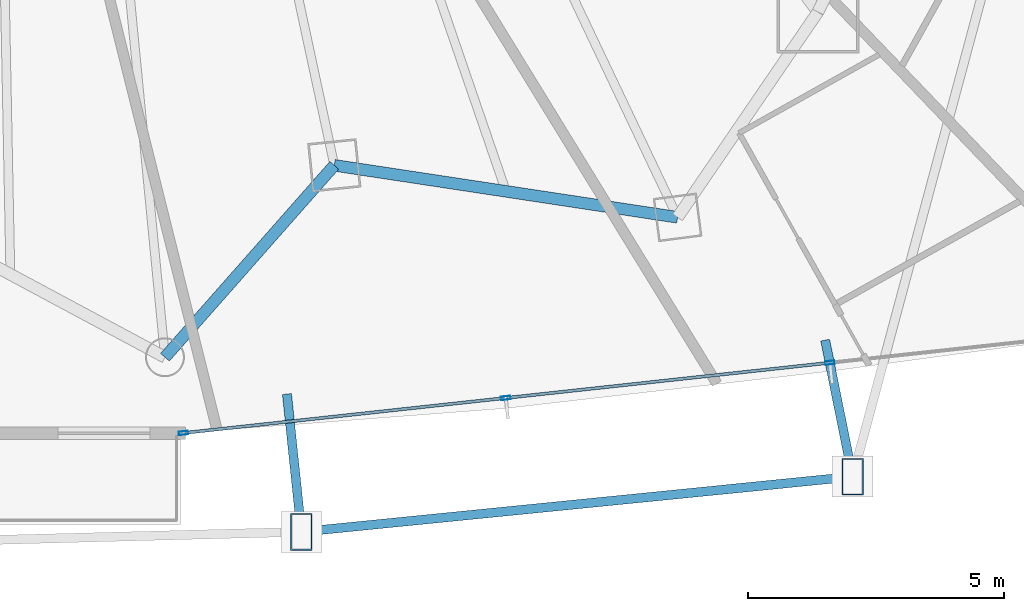
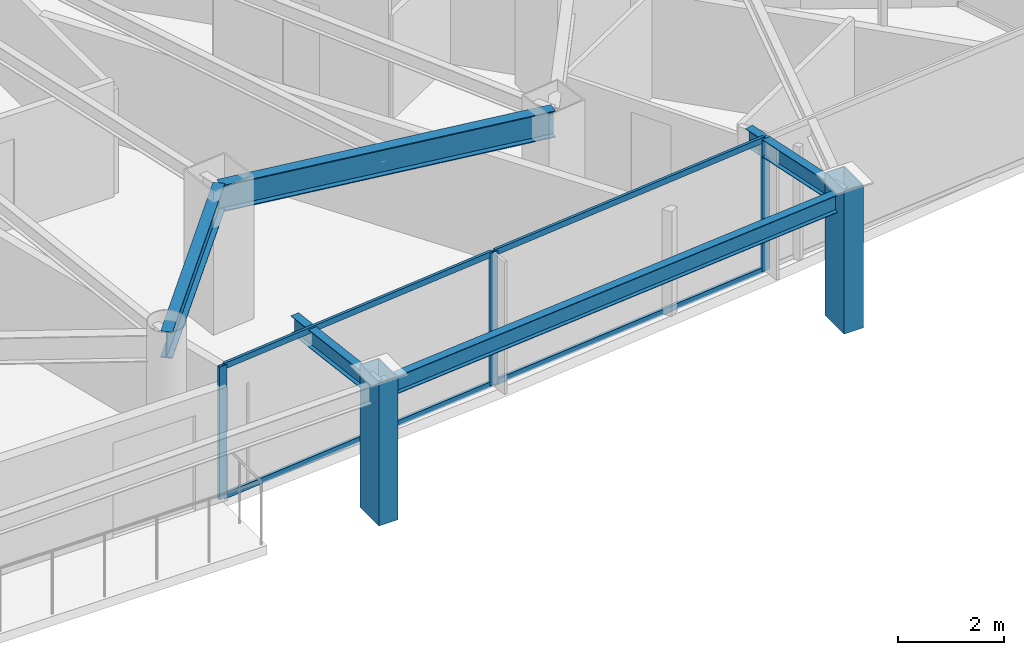
# One storey, part 12 of 34: 9 members, 5 beams, 1 element without a shape of its own.
"""IFC4 building model written with IfcOpenShell, lengths in metres."""

from ifc_helpers import new_model, si_unit, direction, frame, origin, origin_2d, place, context, subcontext, project, spatial, hollow_rectangle, i_section, extrude, material, layer, layer_set, material_profile, profile_set, type_object, element, aggregate, save


model = new_model("IFC4")

# Units and contexts
model_context = context("Model", 3, precision=1e-05, world=origin(), true_north=direction((0.0, 1.0)))
body_context = subcontext(model_context, "Body", "Model", "MODEL_VIEW")
ifc_project = project(units=[si_unit("LENGTHUNIT", "METRE"), si_unit("AREAUNIT", "SQUARE_METRE"), si_unit("VOLUMEUNIT", "CUBIC_METRE"), si_unit("PLANEANGLEUNIT", "RADIAN"), si_unit("MASSUNIT", "GRAM", prefix="KILO")], contexts=[model_context])

# Site, building, storey
site_placement = place(None, origin())
site = spatial("IfcSite", under=ifc_project, at=site_placement, CompositionType="ELEMENT")
building_placement = place(site_placement, origin())
building = spatial("IfcBuilding", under=site, at=building_placement, Name="Orvanel Arch Residences", CompositionType="ELEMENT")
storey_placement = place(building_placement, frame((0.0, 0.0, 80.75)))
storey = spatial("IfcBuildingStorey", under=building, at=storey_placement, Name="L22", CompositionType="ELEMENT", Elevation=80.75)

# Members
ifc_material_1 = material(Name="Structural steel AS/NZS 3678 Grade 350", Category="steel")
ifc_material_profile_1 = material_profile(ifc_material_1, hollow_rectangle(XDim=0.419921875, YDim=0.719970703125, WallThickness=0.02490234375, at=origin_2d()), Name="RHS720x420x25")
ifc_profile_set_1 = profile_set([ifc_material_profile_1], Name="Structural steel AS/NZS 3678 Grade 350")
member_type_1 = type_object("IfcMemberType", Name="CH-720RHS-EXT", PredefinedType="CHORD", material=ifc_profile_set_1)
for number, where, z_axis, x_axis, name in (
    (1, (41.7080078125, 0.193115234375, 0.0), (0.0, 0.0, 1.0), (1.0, 0.0, 0.0), "L22 Outer Perimeter Frame Post 07"),
    (2, (52.48095703125, 1.27099609375, 0.0), (0.0, 0.0, 1.0), (1.0, 0.0, 0.0), "L22 Outer Perimeter Frame Post 08"),
):
    element("IfcMember", number, at=place(storey_placement, frame(where, z_axis=z_axis, x_axis=x_axis)), inside=storey, type_object=member_type_1, Name=name, PredefinedType="CHORD", context=body_context, shape_type="SweptSolid", body=[
        extrude(hollow_rectangle(XDim=0.419921875, YDim=0.719970703125, WallThickness=0.02490234375, at=origin_2d()), origin(), (0.0, 0.0, 1.0), 3.300048828125),
    ])

# Curtain wall, members
ifc_material_2 = material(Name="Bronze-anodised aluminium AA6063-T6", Category="aluminium")
ifc_layer = layer(ifc_material_2, 0.179931640625)
ifc_layer_set = layer_set([ifc_layer], Name="Bronze-anodised aluminium AA6063-T6")
curtain_wall_type = type_object("IfcCurtainWallType", Name="CW2-LOW-SYS", PredefinedType="NOTDEFINED", material=ifc_layer_set)
curtain_wall_placement = place(storey_placement, origin())
curtain_wall = element("IfcCurtainWall", 3, at=curtain_wall_placement, inside=storey, type_object=curtain_wall_type, Name="L22 CW2-LOW-SYS Unitised Curtain Wall", PredefinedType="NOTDEFINED")
ifc_material_profile_2 = material_profile(ifc_material_2, hollow_rectangle(XDim=0.070068359375, YDim=0.179931640625, WallThickness=0.00439453125, at=origin_2d()), Name="ALU180x70x4.5")
ifc_profile_set_2 = profile_set([ifc_material_profile_2], Name="Bronze-anodised aluminium AA6063-T6")
member_type_2 = type_object("IfcMemberType", Name="MUL-180x70", PredefinedType="MULLION", material=ifc_profile_set_2)
member_1_placement = place(storey_placement, frame((39.40185546875, 2.123779296875, 0.0), z_axis=(0.0, 0.0, 1.0), x_axis=(-0.10808278479, 0.994141897131, 0.0)))
member_1 = element("IfcMember", 4, at=member_1_placement, type_object=member_type_2, Name="CW-S2 mullion 1", PredefinedType="MULLION", context=body_context, shape_type="SweptSolid", body=[
    extrude(hollow_rectangle(XDim=0.070068359375, YDim=0.179931640625, WallThickness=0.00439453125, at=origin_2d()), origin(), (0.0, 0.0, 1.0), 3.06005859375),
])
member_2_placement = place(storey_placement, frame((45.701416015625, 2.80859375, 0.0), z_axis=(0.0, 0.0, 1.0), x_axis=(-0.10808278479, 0.994141897131, 0.0)))
member_2 = element("IfcMember", 5, at=member_2_placement, type_object=member_type_2, Name="CW-S2 mullion 2", PredefinedType="MULLION", context=body_context, shape_type="SweptSolid", body=[
    extrude(hollow_rectangle(XDim=0.070068359375, YDim=0.179931640625, WallThickness=0.00439453125, at=origin_2d()), origin(), (0.0, 0.0, 1.0), 3.06005859375),
])
member_3_placement = place(storey_placement, frame((52.03564453125, 3.497314453125, 0.0), z_axis=(0.0, 0.0, 1.0), x_axis=(-0.10808278479, 0.994141897131, 0.0)))
member_3 = element("IfcMember", 6, at=member_3_placement, type_object=member_type_2, Name="CW-S2 mullion 3", PredefinedType="MULLION", context=body_context, shape_type="SweptSolid", body=[
    extrude(hollow_rectangle(XDim=0.070068359375, YDim=0.179931640625, WallThickness=0.00439453125, at=origin_2d()), origin(), (0.0, 0.0, 1.0), 3.06005859375),
])

# Beams
ifc_material_3 = material(Name="Structural steel AS/NZS 3679.1 Grade 300 (300 MPa)", Category="steel")
ifc_material_profile_3 = material_profile(ifc_material_3, i_section(OverallWidth=0.177978515625, OverallDepth=0.406005859375, WebThickness=0.0078125, FlangeThickness=0.0126953125, at=origin_2d()), Name="410UB59.7")
ifc_profile_set_3 = profile_set([ifc_material_profile_3], Name="Structural steel AS/NZS 3679.1 Grade 300 (300 MPa)")
beam_type_1 = type_object("IfcBeamType", Name="OB-410UB-EXT", PredefinedType="SPANDREL", material=ifc_profile_set_3)
beam_1_placement = place(storey_placement, frame((41.426025390625, 2.885986328125, 2.85693359375), z_axis=(0.104144991346, -0.994562125147, 0.0), x_axis=(0.994562125147, 0.104144991346, 0.0)))
element("IfcBeam", 7, at=beam_1_placement, inside=storey, type_object=beam_type_1, Name="L22 Outer Frame Radial Tie Beam 07", PredefinedType="SPANDREL", context=body_context, shape_type="SweptSolid", body=[
    extrude(i_section(OverallWidth=0.177978515625, OverallDepth=0.406005859375, WebThickness=0.0078125, FlangeThickness=0.0126953125, at=origin_2d()), origin(), (0.0, 0.0, 1.0), 2.70751953125),
])
beam_2_placement = place(storey_placement, frame((41.7080078125, 0.193115234375, 2.85693359375), z_axis=(0.995031830402, 0.099557302525, 0.0), x_axis=(-0.099557302525, 0.995031830402, 0.0)))
element("IfcBeam", 8, at=beam_2_placement, inside=storey, type_object=beam_type_1, Name="L22 Outer Perimeter Floor Ring Beam 07", PredefinedType="SPANDREL", context=body_context, shape_type="SweptSolid", body=[
    extrude(i_section(OverallWidth=0.177978515625, OverallDepth=0.406005859375, WebThickness=0.0078125, FlangeThickness=0.0126953125, at=origin_2d()), origin(), (0.0, 0.0, 1.0), 10.82666015625),
])
beam_3_placement = place(storey_placement, frame((51.943115234375, 3.93994140625, 2.85693359375), z_axis=(0.197547227933, -0.98029337075, 0.0), x_axis=(0.98029337075, 0.197547227933, 0.0)))
element("IfcBeam", 9, at=beam_3_placement, inside=storey, type_object=beam_type_1, Name="L22 Outer Frame Radial Tie Beam 08", PredefinedType="SPANDREL", context=body_context, shape_type="SweptSolid", body=[
    extrude(i_section(OverallWidth=0.177978515625, OverallDepth=0.406005859375, WebThickness=0.0078125, FlangeThickness=0.0126953125, at=origin_2d()), origin(), (0.0, 0.0, 1.0), 2.72265625),
])
ifc_material_profile_4 = material_profile(ifc_material_3, i_section(OverallWidth=0.22900390625, OverallDepth=0.612060546875, WebThickness=0.011962890625, FlangeThickness=0.01953125, at=origin_2d()), Name="610UB125")
ifc_profile_set_4 = profile_set([ifc_material_profile_4], Name="Structural steel AS/NZS 3679.1 Grade 300 (300 MPa)")
beam_type_2 = type_object("IfcBeamType", Name="SP-610UB", PredefinedType="SPANDREL", material=ifc_profile_set_4)
beam_4_placement = place(storey_placement, frame((39.0419921875, 3.60498046875, 2.75390625), z_axis=(0.661650698195, 0.749812212209, 0.0), x_axis=(-0.749812212209, 0.661650698195, 0.0)))
element("IfcBeam", 10, at=beam_4_placement, inside=storey, type_object=beam_type_2, Name="L22 Perimeter Spandrel Beam 08", PredefinedType="SPANDREL", context=body_context, shape_type="SweptSolid", body=[
    extrude(i_section(OverallWidth=0.22900390625, OverallDepth=0.612060546875, WebThickness=0.011962890625, FlangeThickness=0.01953125, at=origin_2d()), origin(), (0.0, 0.0, 1.0), 5.001220703125),
])
beam_5_placement = place(storey_placement, frame((42.35107421875, 7.35498046875, 2.75390625), z_axis=(0.988726323014, -0.149733958002, 0.0), x_axis=(0.149733958002, 0.988726323014, 0.0)))
element("IfcBeam", 11, at=beam_5_placement, inside=storey, type_object=beam_type_2, Name="L22 Perimeter Spandrel Beam 09", PredefinedType="SPANDREL", context=body_context, shape_type="SweptSolid", body=[
    extrude(i_section(OverallWidth=0.22900390625, OverallDepth=0.612060546875, WebThickness=0.011962890625, FlangeThickness=0.01953125, at=origin_2d()), origin(), (0.0, 0.0, 1.0), 6.784423828125),
])

# Member
ifc_material_profile_5 = material_profile(ifc_material_2, hollow_rectangle(XDim=0.06005859375, YDim=0.135009765625, WallThickness=0.00390625, at=origin_2d()), Name="ALU135x60x4")
ifc_profile_set_5 = profile_set([ifc_material_profile_5], Name="Bronze-anodised aluminium AA6063-T6")
member_type_3 = type_object("IfcMemberType", Name="TRN-135x60", PredefinedType="USERDEFINED", material=ifc_profile_set_5)
member_4_placement = place(storey_placement, frame((39.4365234375, 2.127685546875, 0.030029296875), z_axis=(0.994143189252, 0.108070899247, 0.0), x_axis=(-0.108070899247, 0.994143189252, 0.0)))
member_4 = element("IfcMember", 12, at=member_4_placement, type_object=member_type_3, Name="CW-S2 transom 1.1", ObjectType="TRANSOM", PredefinedType="USERDEFINED", context=body_context, shape_type="SweptSolid", body=[
    extrude(hollow_rectangle(XDim=0.06005859375, YDim=0.135009765625, WallThickness=0.00390625, at=origin_2d()), origin(), (0.0, 0.0, 1.0), 6.2666015625),
])

member_5_placement = place(storey_placement, frame((39.4365234375, 2.127685546875, 3.030029296875), z_axis=(0.994143189252, 0.108070899247, 0.0), x_axis=(-0.108070899247, 0.994143189252, 0.0)))
member_5 = element("IfcMember", 13, at=member_5_placement, type_object=member_type_3, Name="CW-S2 transom 1.2", ObjectType="TRANSOM", PredefinedType="USERDEFINED", context=body_context, shape_type="SweptSolid", body=[
    extrude(hollow_rectangle(XDim=0.06005859375, YDim=0.135009765625, WallThickness=0.00390625, at=origin_2d()), origin(), (0.0, 0.0, 1.0), 6.2666015625),
])

member_6_placement = place(storey_placement, frame((45.736083984375, 2.8125, 0.030029296875), z_axis=(0.994141296023, 0.108088313624, 0.0), x_axis=(-0.108088313624, 0.994141296023, 0.0)))
member_6 = element("IfcMember", 14, at=member_6_placement, type_object=member_type_3, Name="CW-S2 transom 2.1", ObjectType="TRANSOM", PredefinedType="USERDEFINED", context=body_context, shape_type="SweptSolid", body=[
    extrude(hollow_rectangle(XDim=0.06005859375, YDim=0.135009765625, WallThickness=0.00390625, at=origin_2d()), origin(), (0.0, 0.0, 1.0), 6.3017578125),
])

member_7_placement = place(storey_placement, frame((45.736083984375, 2.8125, 3.030029296875), z_axis=(0.994141296023, 0.108088313624, 0.0), x_axis=(-0.108088313624, 0.994141296023, 0.0)))
member_7 = element("IfcMember", 15, at=member_7_placement, type_object=member_type_3, Name="CW-S2 transom 2.2", ObjectType="TRANSOM", PredefinedType="USERDEFINED", context=body_context, shape_type="SweptSolid", body=[
    extrude(hollow_rectangle(XDim=0.06005859375, YDim=0.135009765625, WallThickness=0.00390625, at=origin_2d()), origin(), (0.0, 0.0, 1.0), 6.3017578125),
])

aggregate(curtain_wall, [member_1, member_2, member_3, member_4, member_5, member_6, member_7])

save(model, "model.ifc")
